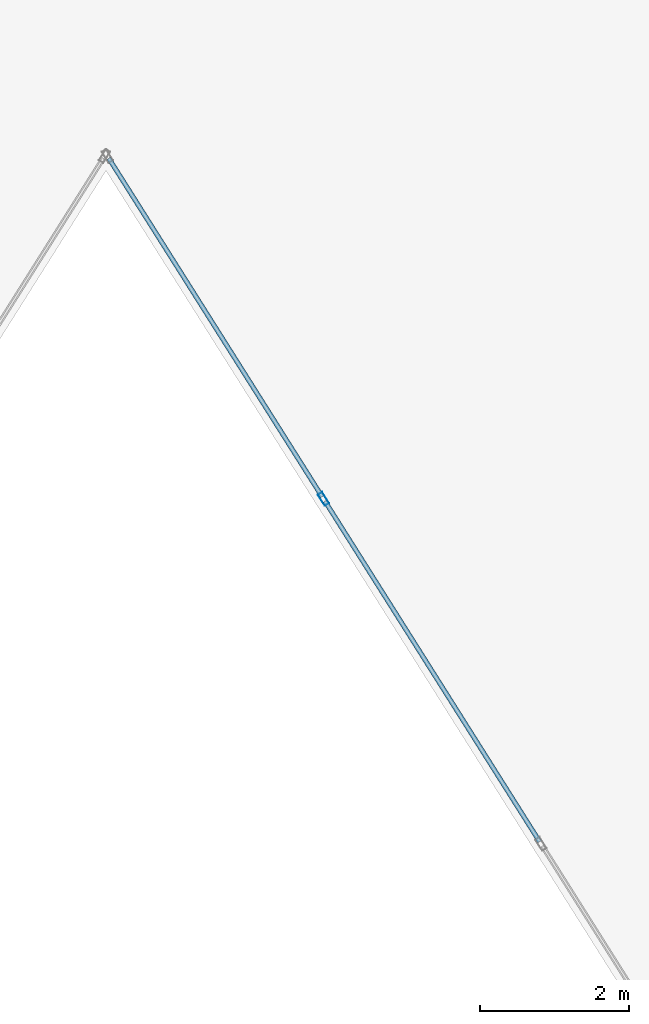
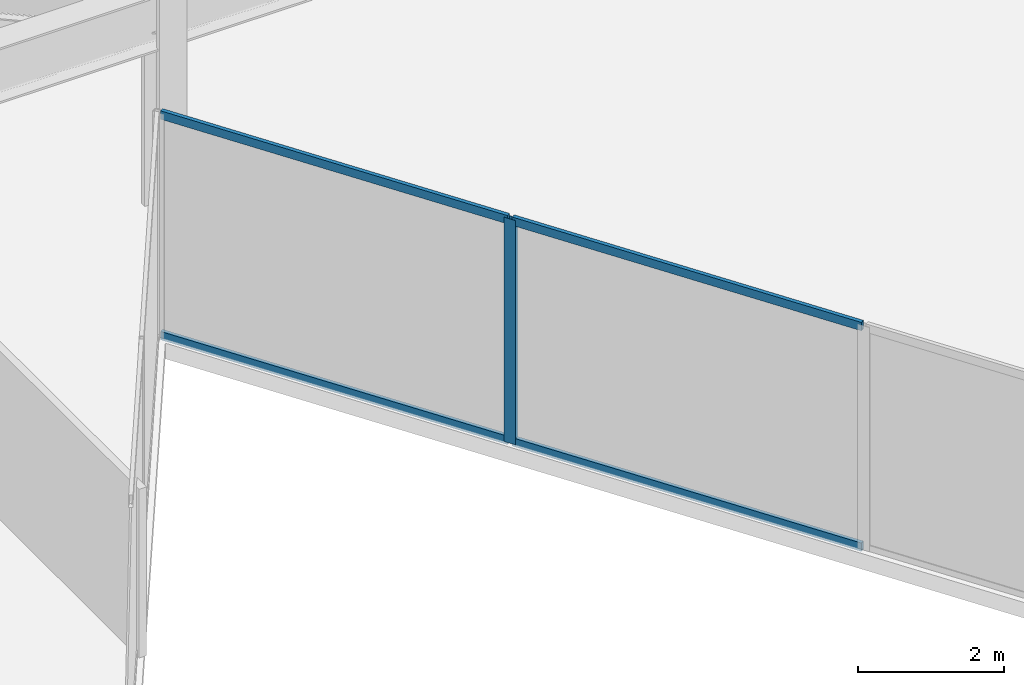
# One storey, part 15 of 25: 5 members, 1 element without a shape of its own.
"""IFC4 building model written with IfcOpenShell, lengths in metres."""

from ifc_helpers import new_model, si_unit, direction, frame, origin, origin_2d, place, context, subcontext, project, spatial, hollow_rectangle, extrude, material, layer, layer_set, material_profile, profile_set, type_object, element, aggregate, save


model = new_model("IFC4")

# Units and contexts
model_context = context("Model", 3, precision=1e-05, world=origin(), true_north=direction((0.0, 1.0)))
body_context = subcontext(model_context, "Body", "Model", "MODEL_VIEW")
ifc_project = project(units=[si_unit("LENGTHUNIT", "METRE"), si_unit("AREAUNIT", "SQUARE_METRE"), si_unit("VOLUMEUNIT", "CUBIC_METRE"), si_unit("PLANEANGLEUNIT", "RADIAN"), si_unit("MASSUNIT", "GRAM", prefix="KILO")], contexts=[model_context])

# Site, building, storey
site_placement = place(None, origin())
site = spatial("IfcSite", under=ifc_project, at=site_placement, CompositionType="ELEMENT")
building_placement = place(site_placement, origin())
building = spatial("IfcBuilding", under=site, at=building_placement, Name="Kravanh Interchange Tower", CompositionType="ELEMENT")
storey_placement = place(building_placement, frame((0.0, 0.0, 65.5)))
storey = spatial("IfcBuildingStorey", under=building, at=storey_placement, Name="L15", CompositionType="ELEMENT", Elevation=65.5)

# Curtain wall, members
ifc_material_1 = material(Name="Anodised Bronze Aluminium", Category="aluminium")
ifc_layer = layer(ifc_material_1, 0.179931640625)
ifc_layer_set = layer_set([ifc_layer], Name="Unitised Curtain Wall System CW-Z1 Lower Office")
curtain_wall_type = type_object("IfcCurtainWallType", Name="Unitised Curtain Wall System CW-Z1 Lower Office", PredefinedType="NOTDEFINED", material=ifc_layer_set)
curtain_wall_placement = place(storey_placement, origin())
curtain_wall = element("IfcCurtainWall", 1, at=curtain_wall_placement, inside=storey, type_object=curtain_wall_type, Name="L15 Unitised Curtain Wall CW-L15-04", PredefinedType="NOTDEFINED")
ifc_material_2 = material(Name="Anodised Bronze Aluminium", Category="aluminium")
ifc_material_profile_1 = material_profile(ifc_material_2, hollow_rectangle(XDim=0.070068359375, YDim=0.179931640625, WallThickness=0.00390625, at=origin_2d()), Name="ALU70X180X4")
ifc_profile_set_1 = profile_set([ifc_material_profile_1], Name="Anodised Bronze Aluminium")
member_type_1 = type_object("IfcMemberType", Name="Curtain Wall Mullion ALU70X180X4 Bronze", PredefinedType="MULLION", material=ifc_profile_set_1)
member_1_placement = place(storey_placement, frame((39.913330078125, 19.60400390625, 0.0), z_axis=(0.0, 0.0, 1.0), x_axis=(-0.845925530786, -0.53330103728, 0.0)))
member_1 = element("IfcMember", 2, at=member_1_placement, type_object=member_type_1, Name="CW-Z1 mullion 5", PredefinedType="MULLION", context=body_context, shape_type="SweptSolid", body=[
    extrude(hollow_rectangle(XDim=0.070068359375, YDim=0.179931640625, WallThickness=0.00390625, at=origin_2d()), origin(), (0.0, 0.0, 1.0), 3.739990234375),
])
ifc_material_3 = material(Name="Anodised Bronze Aluminium", Category="aluminium")
ifc_material_profile_2 = material_profile(ifc_material_3, hollow_rectangle(XDim=0.06005859375, YDim=0.139892578125, WallThickness=0.00390625, at=origin_2d()), Name="ALU60X140X4")
ifc_profile_set_2 = profile_set([ifc_material_profile_2], Name="Anodised Bronze Aluminium")
member_type_2 = type_object("IfcMemberType", Name="Curtain Wall Transom ALU60X140X4 Bronze", PredefinedType="USERDEFINED", material=ifc_profile_set_2)
member_2_placement = place(storey_placement, frame((42.807861328125, 15.0126953125, 0.030029296875), z_axis=(-0.533311487456, 0.84591894254, 0.0), x_axis=(-0.84591894254, -0.533311487456, 0.0)))
member_2 = element("IfcMember", 3, at=member_2_placement, type_object=member_type_2, Name="CW-Z1 transom 4.1", ObjectType="TRANSOM", PredefinedType="USERDEFINED", context=body_context, shape_type="SweptSolid", body=[
    extrude(hollow_rectangle(XDim=0.06005859375, YDim=0.139892578125, WallThickness=0.00390625, at=origin_2d()), origin(), (0.0, 0.0, 1.0), 5.392578125),
])
member_3_placement = place(storey_placement, frame((42.807861328125, 15.0126953125, 3.7099609375), z_axis=(-0.533311487456, 0.84591894254, 0.0), x_axis=(-0.84591894254, -0.533311487456, 0.0)))
member_3 = element("IfcMember", 4, at=member_3_placement, type_object=member_type_2, Name="CW-Z1 transom 4.2", ObjectType="TRANSOM", PredefinedType="USERDEFINED", context=body_context, shape_type="SweptSolid", body=[
    extrude(hollow_rectangle(XDim=0.06005859375, YDim=0.139892578125, WallThickness=0.00390625, at=origin_2d()), origin(), (0.0, 0.0, 1.0), 5.392578125),
])
member_4_placement = place(storey_placement, frame((39.89453125, 19.633544921875, 0.030029296875), z_axis=(-0.533288163518, 0.845933646719, 0.0), x_axis=(-0.845933646719, -0.533288163518, 0.0)))
member_4 = element("IfcMember", 5, at=member_4_placement, type_object=member_type_2, Name="CW-Z1 transom 5.1", ObjectType="TRANSOM", PredefinedType="USERDEFINED", context=body_context, shape_type="SweptSolid", body=[
    extrude(hollow_rectangle(XDim=0.06005859375, YDim=0.139892578125, WallThickness=0.00390625, at=origin_2d()), origin(), (0.0, 0.0, 1.0), 5.357666015625),
])
member_5_placement = place(storey_placement, frame((39.89453125, 19.633544921875, 3.7099609375), z_axis=(-0.533288163518, 0.845933646719, 0.0), x_axis=(-0.845933646719, -0.533288163518, 0.0)))
member_5 = element("IfcMember", 6, at=member_5_placement, type_object=member_type_2, Name="CW-Z1 transom 5.2", ObjectType="TRANSOM", PredefinedType="USERDEFINED", context=body_context, shape_type="SweptSolid", body=[
    extrude(hollow_rectangle(XDim=0.06005859375, YDim=0.139892578125, WallThickness=0.00390625, at=origin_2d()), origin(), (0.0, 0.0, 1.0), 5.357666015625),
])
aggregate(curtain_wall, [member_1, member_2, member_3, member_4, member_5])

save(model, "model.ifc")
